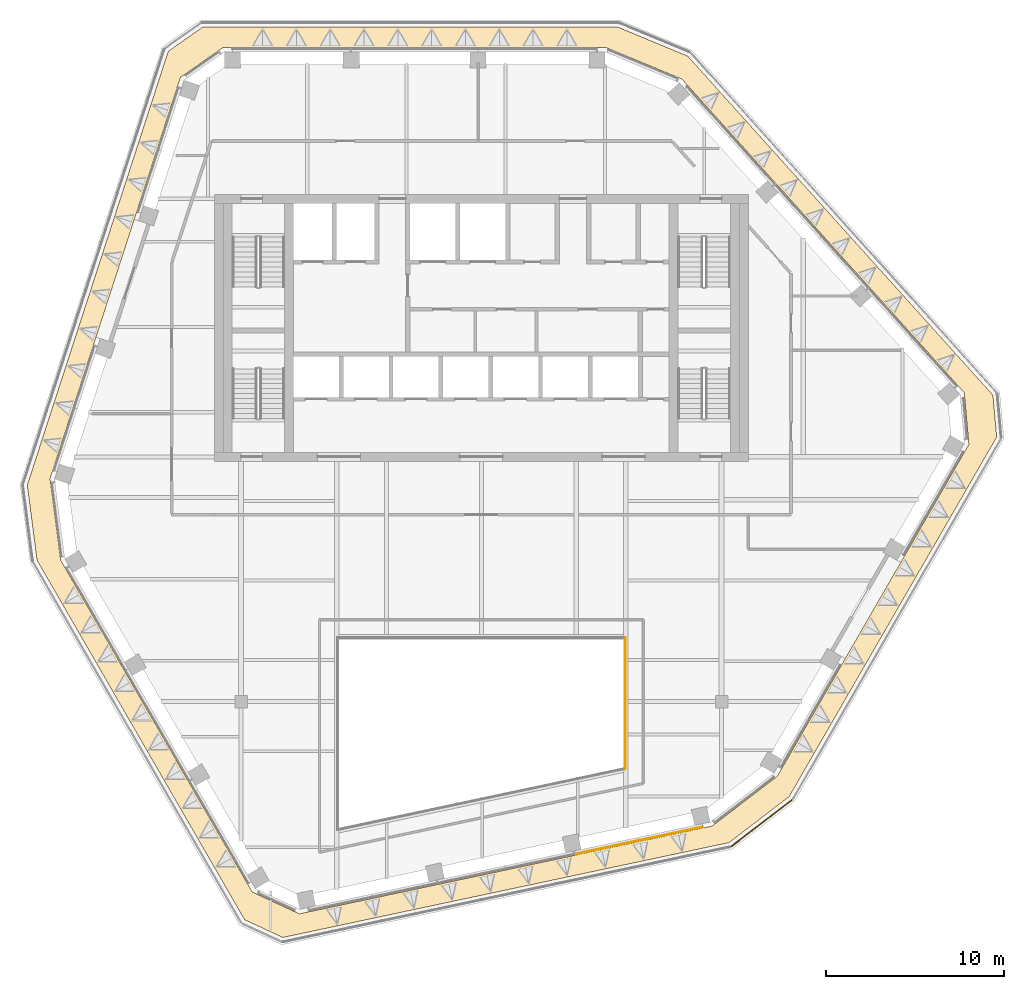
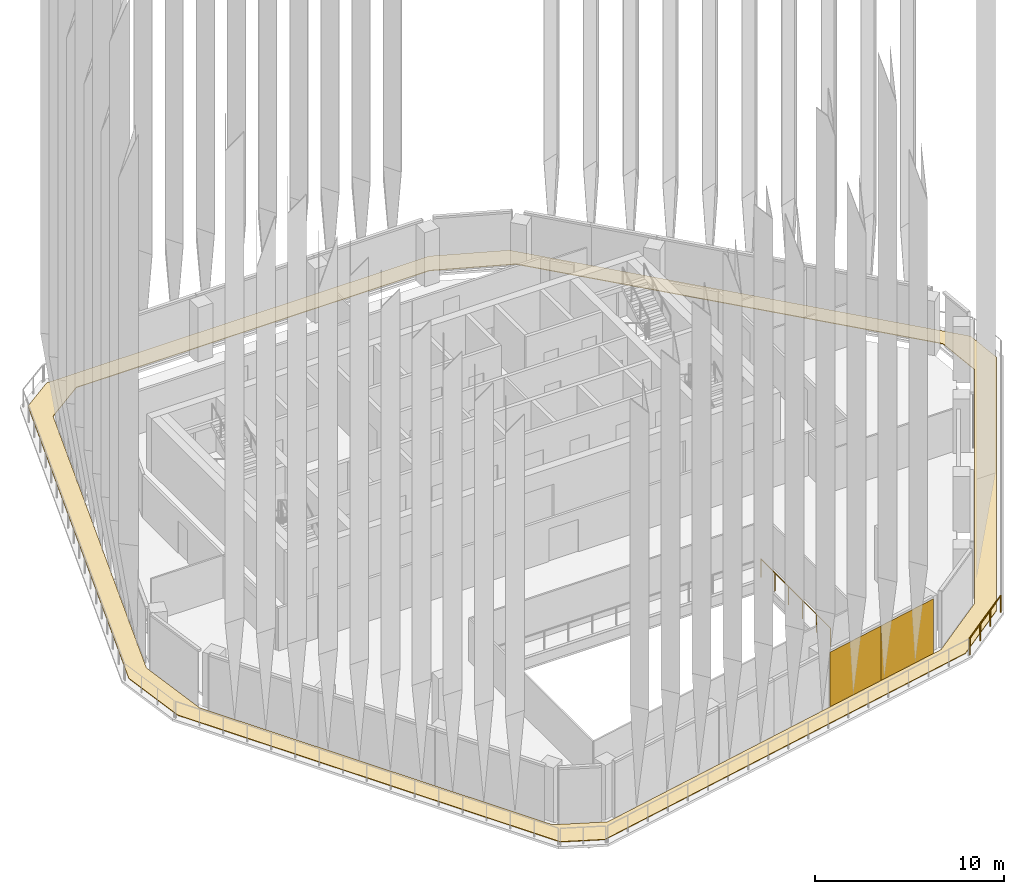
# One storey, part 13 of 21: 3 coverings, 2 railings, 1 element without a shape of its own.
"""IFC4 building model written with IfcOpenShell, lengths in metres."""

from ifc_helpers import new_model, si_unit, direction, frame, origin, origin_2d, place, context, subcontext, project, spatial, polyline, rectangle, circle, outline, extrude, material, layer, layer_set, type_object, element, aggregate, save


model = new_model("IFC4")

# Units and contexts
model_context = context("Model", 3, precision=1e-05, world=origin(), true_north=direction((0.0, 1.0)))
body_context = subcontext(model_context, "Body", "Model", "MODEL_VIEW")
ifc_project = project(units=[si_unit("LENGTHUNIT", "METRE"), si_unit("AREAUNIT", "SQUARE_METRE"), si_unit("VOLUMEUNIT", "CUBIC_METRE"), si_unit("PLANEANGLEUNIT", "RADIAN"), si_unit("MASSUNIT", "GRAM", prefix="KILO")], contexts=[model_context])

# Site, building, storey
site_placement = place(None, origin())
site = spatial("IfcSite", under=ifc_project, at=site_placement, CompositionType="ELEMENT")
building_placement = place(site_placement, origin())
building = spatial("IfcBuilding", under=site, at=building_placement, Name="Isthmus Gate Tower", CompositionType="ELEMENT")
storey_placement = place(building_placement, frame((0.0, 0.0, 260.949951171875)))
storey = spatial("IfcBuildingStorey", under=building, at=storey_placement, Name="L66", CompositionType="ELEMENT", Elevation=260.949951171875)

# Railing
ifc_material_1 = material(Name="Laminated toughened glass balustrade with steel rail", Category="steel")
railing_type_1 = type_object("IfcRailingType", Name="ATRIUM GUARD GLASS BALUSTRADE 1200", PredefinedType="GUARDRAIL", material=ifc_material_1)
railing_1_placement = place(storey_placement, frame((8.080078125, -9.919921875, 0.0)))
element("IfcRailing", 1, at=railing_1_placement, inside=storey, type_object=railing_type_1, Name="L66 atrium guard", PredefinedType="GUARDRAIL", context=body_context, shape_type="SweptSolid", body=[
    extrude(circle(Radius=0.02490234375, at=origin_2d()), frame((0.0, 0.0, 1.1748046875), z_axis=(0.0, -1.0, 0.0), x_axis=(1.0, 0.0, 0.0)), (0.0, 0.0, 1.0), 7.35498046875),
    extrude(circle(Radius=0.02490234375, at=origin_2d()), origin(), (0.0, 0.0, 1.0), 1.14990234375),
    extrude(circle(Radius=0.02490234375, at=origin_2d()), frame((0.0, -1.470947265625, 0.0)), (0.0, 0.0, 1.0), 1.14990234375),
    extrude(circle(Radius=0.02490234375, at=origin_2d()), frame((0.0, -2.94189453125, 0.0)), (0.0, 0.0, 1.0), 1.14990234375),
    extrude(circle(Radius=0.02490234375, at=origin_2d()), frame((0.0, -4.4130859375, 0.0)), (0.0, 0.0, 1.0), 1.14990234375),
    extrude(circle(Radius=0.02490234375, at=origin_2d()), frame((0.0, -5.884033203125, 0.0)), (0.0, 0.0, 1.0), 1.14990234375),
    extrude(circle(Radius=0.02490234375, at=origin_2d()), frame((0.0, -7.35498046875, 0.0)), (0.0, 0.0, 1.0), 1.14990234375),
])

# Curtain wall, coverings
ifc_material_2 = material(Name="Aluminium, pale champagne anodised", Category="aluminium")
ifc_layer_1 = layer(ifc_material_2, 0.199951171875)
ifc_layer_set_1 = layer_set([ifc_layer_1], Name="CW-1 UNITISED CURTAIN WALL 200 DEEP")
curtain_wall_type = type_object("IfcCurtainWallType", Name="CW-1 UNITISED CURTAIN WALL 200 DEEP", PredefinedType="NOTDEFINED", material=ifc_layer_set_1)
curtain_wall_placement = place(storey_placement, origin())
curtain_wall = element("IfcCurtainWall", 2, at=curtain_wall_placement, inside=storey, type_object=curtain_wall_type, Name="CW-1 S L66", PredefinedType="NOTDEFINED")
ifc_material_3 = material(Name="Aluminium composite panel, pale champagne anodised", Category="aluminium")
ifc_layer_2 = layer(ifc_material_3, 0.031982421875)
ifc_layer_set_2 = layer_set([ifc_layer_2], Name="CW-1 PALE METAL PANEL 32")
covering_type_1 = type_object("IfcCoveringType", Name="CW-1 PALE METAL PANEL 32", PredefinedType="CLADDING", material=ifc_layer_set_2)
covering_1_placement = place(storey_placement, frame((7.0517578125, -21.689208984375, 0.0), z_axis=(0.0, 0.0, 1.0), x_axis=(0.978147600734, 0.207911690818, 0.0)))
covering_1 = element("IfcCovering", 3, at=covering_1_placement, type_object=covering_type_1, Name="CW-1 pale metal panel", PredefinedType="CLADDING", context=body_context, shape_type="SweptSolid", body=[
    extrude(rectangle(XDim=3.643310546875, YDim=0.031982421875, at=origin_2d()), origin(), (0.0, 0.0, 1.0), 3.52001953125),
])
covering_2_placement = place(storey_placement, frame((10.644775390625, -20.925537109375, 0.0), z_axis=(0.0, 0.0, 1.0), x_axis=(0.978147600734, 0.207911690818, 0.0)))
covering_2 = element("IfcCovering", 4, at=covering_2_placement, type_object=covering_type_1, Name="CW-1 pale metal panel", PredefinedType="CLADDING", context=body_context, shape_type="SweptSolid", body=[
    extrude(rectangle(XDim=3.703369140625, YDim=0.031982421875, at=origin_2d()), origin(), (0.0, 0.0, 1.0), 3.52001953125),
])
aggregate(curtain_wall, [covering_1, covering_2])

# Railing
ifc_material_4 = material(Name="Stainless steel posts and toughened laminated glass", Category="steel")
railing_type_2 = type_object("IfcRailingType", Name="GUARD 1100 LEDGE GLASS", PredefinedType="GUARDRAIL", material=ifc_material_4)
railing_2_placement = place(storey_placement, frame((17.439208984375, -19.04833984375, 0.0)))
element("IfcRailing", 5, at=railing_2_placement, inside=storey, type_object=railing_type_2, Name="LEDGE GUARD", PredefinedType="GUARDRAIL", context=body_context, shape_type="SweptSolid", body=[
    extrude(circle(Radius=0.02490234375, at=origin_2d()), frame((0.0, 0.0, 1.0751953125), z_axis=(-0.794207445663, -0.607646717471, 0.0), x_axis=(0.607646717471, -0.794207445663, 0.0)), (0.0, 0.0, 1.0), 4.239990234375),
    extrude(circle(Radius=0.02490234375, at=origin_2d()), origin(), (0.0, 0.0, 1.0), 1.050048828125),
    extrude(circle(Radius=0.02490234375, at=origin_2d()), frame((-1.12255859375, -0.85888671875, 0.0)), (0.0, 0.0, 1.0), 1.050048828125),
    extrude(circle(Radius=0.02490234375, at=origin_2d()), frame((-2.244873046875, -1.717529296875, 0.0)), (0.0, 0.0, 1.0), 1.050048828125),
    extrude(circle(Radius=0.02490234375, at=origin_2d()), frame((-3.367431640625, -2.576416015625, 0.0)), (0.0, 0.0, 1.0), 1.050048828125),
])

# Covering
ifc_material_5 = material(Name="Granite paving slabs on pedestals", Category="masonry")
ifc_layer_3 = layer(ifc_material_5, 0.0400390625)
ifc_layer_set_3 = layer_set([ifc_layer_3], Name="LEDGE PAVING 40")
covering_type_2 = type_object("IfcCoveringType", Name="LEDGE PAVING 40", PredefinedType="FLOORING", material=ifc_layer_set_3)
covering_3_placement = place(storey_placement, origin())
element("IfcCovering", 6, at=covering_3_placement, inside=storey, type_object=covering_type_2, Name="LEDGE PAVING", PredefinedType="FLOORING", context=body_context, shape_type="SweptSolid", body=[
    extrude(outline(polyline([(28.750244140625, 3.71826171875), (28.961669921875, 1.363037109375), (17.29541015625, -18.843505859375), (13.9169921875, -21.428466796875), (-11.155029296875, -26.757568359375), (-13.30029296875, -25.76318359375), (-24.966796875, -5.556396484375), (-25.51611328125, -1.33837890625), (-17.59521484375, 23.039306640625), (-15.661376953125, 24.39990234375), (7.67138671875, 24.39990234375), (11.59912109375, 22.766845703125), (28.750244140625, 3.71826171875)]), holes=[polyline([(-16.908935546875, 21.571533203125), (-24.23583984375, -0.978271484375), (-23.6396484375, -5.5546875), (-12.87353515625, -24.20263671875), (-10.226806640625, -25.429443359375), (12.965087890625, -20.499755859375), (16.63037109375, -17.6953125), (27.396728515625, 0.95263671875), (27.135986328125, 3.85791015625), (11.270751953125, 21.47802734375), (7.00927734375, 23.25), (-14.523193359375, 23.25), (-16.908935546875, 21.571533203125)])]), origin(), (0.0, 0.0, 1.0), 0.0400390625),
])

save(model, "model.ifc")
